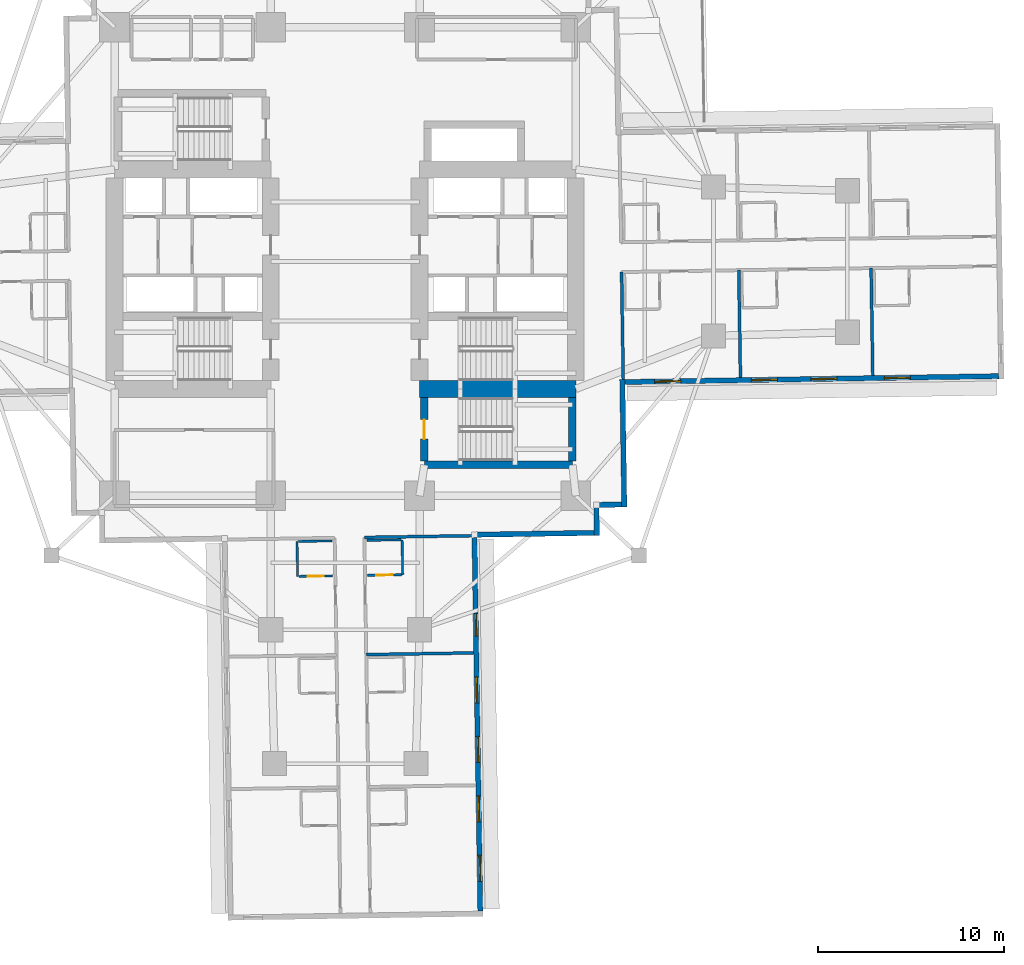
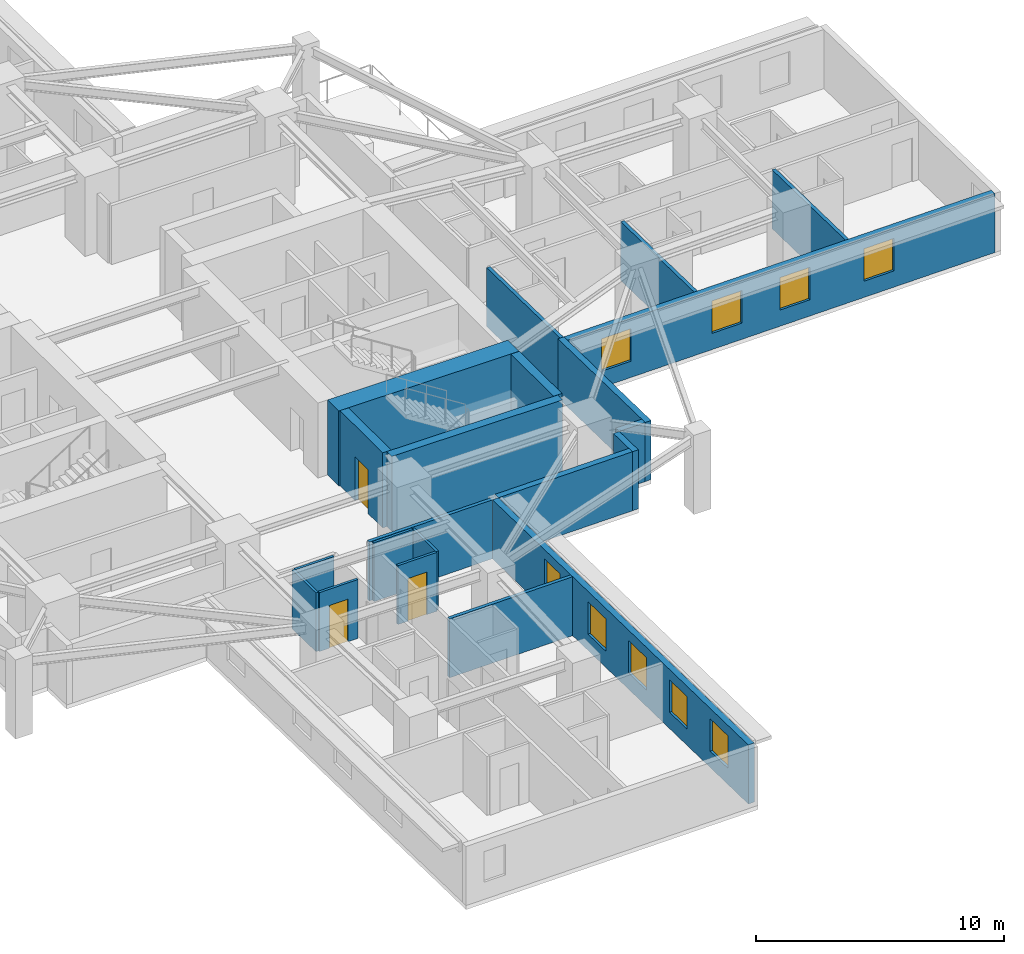
# One storey, part 4 of 14: 21 walls, 9 windows, 3 doors, 12 openings.
"""IFC4 building model written with IfcOpenShell, lengths in metres."""

from ifc_helpers import new_model, si_unit, direction, frame, frame_2d, origin, place, context, subcontext, project, spatial, rectangle, extrude, material, layer, layer_set, type_object, element, fill, save


model = new_model("IFC4")

# Units and contexts
model_context = context("Model", 3, precision=1e-05, world=origin(), true_north=direction((0.0, 1.0)))
body_context = subcontext(model_context, "Body", "Model", "MODEL_VIEW")
ifc_project = project(units=[si_unit("LENGTHUNIT", "METRE"), si_unit("AREAUNIT", "SQUARE_METRE"), si_unit("VOLUMEUNIT", "CUBIC_METRE"), si_unit("PLANEANGLEUNIT", "RADIAN"), si_unit("MASSUNIT", "GRAM", prefix="KILO")], contexts=[model_context])

# Site, building, storey
site_placement = place(None, origin())
site = spatial("IfcSite", under=ifc_project, at=site_placement, CompositionType="ELEMENT")
building_placement = place(site_placement, origin())
building = spatial("IfcBuilding", under=site, at=building_placement, Name="Qingluan Cross Belvedere", CompositionType="ELEMENT")
storey_placement = place(building_placement, frame((0.0, 0.0, 27.60009765625)))
storey = spatial("IfcBuildingStorey", under=building, at=storey_placement, Name="L07", CompositionType="ELEMENT", Elevation=27.60009765625)

# Wall
ifc_material_1 = material(Name="Concrete C50", Category="concrete")
ifc_layer_1 = layer(ifc_material_1, 0.449951171875, Name="CoreShearWall_450")
ifc_layer_set_1 = layer_set([ifc_layer_1], Name="Concrete C50")
wall_type_1 = type_object("IfcWallType", Name="CoreShearWall_450", PredefinedType="SHEAR", material=ifc_layer_set_1)
wall_1_placement = place(storey_placement, frame((4.260009765625, -10.93994140625, 0.0), z_axis=(0.0, 0.0, 1.0), x_axis=(1.0, 0.0, 0.0)))
element("IfcWall", 1, at=wall_1_placement, inside=storey, type_object=wall_type_1, Name="Stair ST4 structural wall S L07", PredefinedType="SHEAR", context=body_context, shape_type="SweptSolid", body=[
    extrude(rectangle(XDim=7.9599609375, YDim=0.39990234375, at=frame_2d((3.97998046875, 0.0))), origin(), (0.0, 0.0, 1.0), 3.699951171875),
])

# Wall, opening, door
wall_2_placement = place(storey_placement, frame((4.260009765625, -10.735107421875, 0.0), z_axis=(0.0, 0.0, 1.0), x_axis=(0.0, 1.0, 0.0)))
wall_2 = element("IfcWall", 2, at=wall_2_placement, inside=storey, type_object=wall_type_1, Name="Stair ST4 structural wall W L07", PredefinedType="SHEAR", context=body_context, shape_type="SweptSolid", body=[
    extrude(rectangle(XDim=3.43017578125, YDim=0.39990234375, at=frame_2d((1.715087890625, 0.0))), origin(), (0.0, 0.0, 1.0), 3.699951171875),
])
opening_1_placement = place(wall_2_placement, frame((1.18505859375, 0.0, 0.0)))
opening_1 = element("IfcOpeningElement", 3, at=opening_1_placement, cuts=wall_2, Name="Opening FD-B11", PredefinedType="OPENING", context=body_context, shape_type="SweptSolid", body=[
    extrude(rectangle(XDim=1.050048828125, YDim=2.14990234375, at=frame_2d((0.52490234375, 1.074951171875))), frame((0.0, 0.2099609375, 0.0), z_axis=(0.0, -1.0, 0.0), x_axis=(1.0, 0.0, 0.0)), (0.0, 0.0, 1.0), 0.419921875),
])
ifc_material_2 = material(Name="Steel Class B smoke-seal fire door", Category="steel")
door_type_1 = type_object("IfcDoorType", Name="StairLobbyFireDoor_FDB", OperationType="NOTDEFINED", PredefinedType="DOOR", material=ifc_material_2)
door_1_placement = place(opening_1_placement, origin())
door_1 = element("IfcDoor", 4, at=door_1_placement, inside=storey, type_object=door_type_1, Name="Smoke-proof stair ST4 fire door L07", OperationType="SINGLE_SWING_LEFT", OverallHeight=2.14990234375, OverallWidth=1.050048828125, PredefinedType="DOOR", context=body_context, shape_type="SweptSolid", body=[
    extrude(rectangle(XDim=1.050048828125, YDim=2.14990234375, at=frame_2d((0.52490234375, 1.074951171875))), frame((0.0, 0.02490234375, 0.0), z_axis=(0.0, -1.0, 0.0), x_axis=(1.0, 0.0, 0.0)), (0.0, 0.0, 1.0), 0.050048828125),
])
fill(opening_1, door_1)

# Walls
wall_3_placement = place(storey_placement, frame((12.219970703125, -10.735107421875, 0.0), z_axis=(0.0, 0.0, 1.0), x_axis=(0.0, 1.0, 0.0)))
element("IfcWall", 5, at=wall_3_placement, inside=storey, type_object=wall_type_1, Name="Stair ST4 structural wall E L07", PredefinedType="SHEAR", context=body_context, shape_type="SweptSolid", body=[
    extrude(rectangle(XDim=3.43017578125, YDim=0.39990234375, at=frame_2d((1.715087890625, 0.0))), origin(), (0.0, 0.0, 1.0), 3.699951171875),
])
ifc_material_3 = material(Name="Concrete C70", Category="concrete")
ifc_layer_2 = layer(ifc_material_3, 0.89990234375, Name="CoreShearWall_900")
ifc_layer_set_2 = layer_set([ifc_layer_2], Name="Concrete C70")
wall_type_2 = type_object("IfcWallType", Name="CoreShearWall_900", PredefinedType="SHEAR", material=ifc_layer_set_2)
wall_4_placement = place(storey_placement, frame((4.0, -6.85009765625, 0.0), z_axis=(0.0, 0.0, 1.0), x_axis=(1.0, 0.0, 0.0)))
element("IfcWall", 6, at=wall_4_placement, inside=storey, type_object=wall_type_2, Name="Split core E shear wall L07-S", PredefinedType="SHEAR", context=body_context, shape_type="SweptSolid", body=[
    extrude(rectangle(XDim=8.39990234375, YDim=0.89990234375, at=frame_2d((4.199951171875, 0.0))), origin(), (0.0, 0.0, 1.0), 3.699951171875),
])
ifc_material_4 = material(Name="Gypsum plasterboard on steel stud acoustic partition", Category="steel")
ifc_layer_3 = layer(ifc_material_4, 0.159912109375, Name="CorridorPartition_160")
ifc_layer_set_3 = layer_set([ifc_layer_3], Name="Gypsum plasterboard on steel stud acoustic partition")
wall_type_3 = type_object("IfcWallType", Name="CorridorPartition_160", PredefinedType="PARTITIONING", material=ifc_layer_set_3)
for number, where, z_axis, x_axis, name in (
    (7, (14.860595703125, -0.566650390625, 0.0), (0.0, 0.0, 1.0), (0.015734758102, -0.999876201031, 0.0), "Partition L07:E:s1"),
    (8, (21.162109375, -0.4677734375, 0.0), (0.0, 0.0, 1.0), (0.015692470796, -0.999876865599, 0.0), "Partition L07:E:d1_0"),
    (9, (28.277099609375, -0.35595703125, 0.0), (0.0, 0.0, 1.0), (0.015734758102, -0.999876201031, 0.0), "Partition L07:E:d1_1"),
):
    element("IfcWall", number, at=place(storey_placement, frame(where, z_axis=z_axis, x_axis=x_axis)), inside=storey, type_object=wall_type_3, Name=name, PredefinedType="PARTITIONING", context=body_context, shape_type="SweptSolid", body=[
        extrude(rectangle(XDim=5.77197265625, YDim=0.159912109375, at=frame_2d((2.885986328125, 0.0))), origin(), (0.0, 0.0, 1.0), 2.89990234375),
    ])
wall_5_placement = place(storey_placement, frame((1.033203125, -14.835693359375, 0.0), z_axis=(0.0, 0.0, 1.0), x_axis=(0.999876548847, 0.015712640343, 0.0)))
element("IfcWall", 10, at=wall_5_placement, inside=storey, type_object=wall_type_3, Name="Partition L07:S:s0", PredefinedType="PARTITIONING", context=body_context, shape_type="SweptSolid", body=[
    extrude(rectangle(XDim=5.919921875, YDim=0.159912109375, at=frame_2d((2.9599609375, 0.0))), origin(), (0.0, 0.0, 1.0), 2.89990234375),
])
wall_6_placement = place(storey_placement, frame((1.132080078125, -21.13671875, 0.0), z_axis=(0.0, 0.0, 1.0), x_axis=(0.999876865599, 0.015692470796, 0.0)))
element("IfcWall", 11, at=wall_6_placement, inside=storey, type_object=wall_type_3, Name="Partition L07:S:d0_0", PredefinedType="PARTITIONING", context=body_context, shape_type="SweptSolid", body=[
    extrude(rectangle(XDim=5.77197265625, YDim=0.159912109375, at=frame_2d((2.885986328125, 0.0))), origin(), (0.0, 0.0, 1.0), 2.89990234375),
])

# Wall, opening, door
ifc_material_5 = material(Name="Moisture-resistant gypsum board lining")
ifc_layer_4 = layer(ifc_material_5, 0.1201171875, Name="EnsuiteWetPartition_120")
ifc_layer_set_4 = layer_set([ifc_layer_4], Name="Moisture-resistant gypsum board lining")
wall_type_4 = type_object("IfcWallType", Name="EnsuiteWetPartition_120", PredefinedType="PARTITIONING", material=ifc_layer_set_4)
wall_7_placement = place(storey_placement, frame((1.205078125, -16.873291015625, 0.0), z_axis=(0.0, 0.0, 1.0), x_axis=(0.999874722342, 0.015828443418, 0.0)))
wall_7 = element("IfcWall", 12, at=wall_7_placement, inside=storey, type_object=wall_type_4, Name="Partition L07:S:bs0_0", PredefinedType="PARTITIONING", context=body_context, shape_type="SweptSolid", body=[
    extrude(rectangle(XDim=1.820068359375, YDim=0.1201171875, at=frame_2d((0.91015625, 0.0))), origin(), (0.0, 0.0, 1.0), 2.89990234375),
])
opening_2_placement = place(wall_7_placement, frame((0.469970703125, 0.0, 0.0)))
opening_2 = element("IfcOpeningElement", 13, at=opening_2_placement, cuts=wall_7, Name="Opening BD-09", PredefinedType="OPENING", context=body_context, shape_type="SweptSolid", body=[
    extrude(rectangle(XDim=0.8798828125, YDim=2.10009765625, at=frame_2d((0.43994140625, 1.050048828125))), frame((0.0, 0.070068359375, 0.0), z_axis=(0.0, -1.0, 0.0), x_axis=(1.0, 0.0, 0.0)), (0.0, 0.0, 1.0), 0.14013671875),
])
ifc_material_6 = material(Name="Moisture-sealed timber en-suite door", Category="wood")
door_type_2 = type_object("IfcDoorType", Name="BathroomDoor_880", OperationType="NOTDEFINED", PredefinedType="DOOR", material=ifc_material_6)
door_2_placement = place(opening_2_placement, origin())
door_2 = element("IfcDoor", 14, at=door_2_placement, inside=storey, type_object=door_type_2, Name="Bathroom door 0719", OperationType="SINGLE_SWING_RIGHT", OverallHeight=2.10009765625, OverallWidth=0.8798828125, PredefinedType="DOOR", context=body_context, shape_type="SweptSolid", body=[
    extrude(rectangle(XDim=0.8798828125, YDim=2.10009765625, at=frame_2d((0.43994140625, 1.050048828125))), frame((0.0, 0.02490234375, 0.0), z_axis=(0.0, -1.0, 0.0), x_axis=(1.0, 0.0, 0.0)), (0.0, 0.0, 1.0), 0.050048828125),
])
fill(opening_2, door_2)

# Walls
wall_8_placement = place(storey_placement, frame((1.17578125, -14.993408203125, 0.0), z_axis=(0.0, 0.0, 1.0), x_axis=(0.999876803258, 0.015696442504, 0.0)))
element("IfcWall", 15, at=wall_8_placement, inside=storey, type_object=wall_type_4, Name="Partition L07:S:bw0_0", PredefinedType="PARTITIONING", context=body_context, shape_type="SweptSolid", body=[
    extrude(rectangle(XDim=1.81982421875, YDim=0.1201171875, at=frame_2d((0.909912109375, 0.0))), origin(), (0.0, 0.0, 1.0), 2.89990234375),
])
wall_9_placement = place(storey_placement, frame((3.060302734375, -14.9638671875, 0.0), z_axis=(0.0, 0.0, 1.0), x_axis=(0.015714386166, -0.99987652141, 0.0)))
element("IfcWall", 16, at=wall_9_placement, inside=storey, type_object=wall_type_4, Name="Partition L07:S:bn0_0", PredefinedType="PARTITIONING", context=body_context, shape_type="SweptSolid", body=[
    extrude(rectangle(XDim=1.8798828125, YDim=0.1201171875, at=frame_2d((0.93994140625, 0.0))), origin(), (0.0, 0.0, 1.0), 2.89990234375),
])

# Wall, opening, door
wall_10_placement = place(storey_placement, frame((-2.494384765625, -16.931396484375, 0.0), z_axis=(0.0, 0.0, 1.0), x_axis=(0.999874722342, 0.015828443418, 0.0)))
wall_10 = element("IfcWall", 17, at=wall_10_placement, inside=storey, type_object=wall_type_4, Name="Partition L07:S:bs1_0", PredefinedType="PARTITIONING", context=body_context, shape_type="SweptSolid", body=[
    extrude(rectangle(XDim=1.820068359375, YDim=0.1201171875, at=frame_2d((0.91015625, 0.0))), origin(), (0.0, 0.0, 1.0), 2.89990234375),
])
opening_3_placement = place(wall_10_placement, frame((0.469970703125, 0.0, 0.0)))
opening_3 = element("IfcOpeningElement", 18, at=opening_3_placement, cuts=wall_10, Name="Opening BD-09", PredefinedType="OPENING", context=body_context, shape_type="SweptSolid", body=[
    extrude(rectangle(XDim=0.8798828125, YDim=2.10009765625, at=frame_2d((0.43994140625, 1.050048828125))), frame((0.0, 0.070068359375, 0.0), z_axis=(0.0, -1.0, 0.0), x_axis=(1.0, 0.0, 0.0)), (0.0, 0.0, 1.0), 0.14013671875),
])
door_3_placement = place(opening_3_placement, origin())
door_3 = element("IfcDoor", 19, at=door_3_placement, inside=storey, type_object=door_type_2, Name="Bathroom door 0722", OperationType="SINGLE_SWING_RIGHT", OverallHeight=2.10009765625, OverallWidth=0.8798828125, PredefinedType="DOOR", context=body_context, shape_type="SweptSolid", body=[
    extrude(rectangle(XDim=0.8798828125, YDim=2.10009765625, at=frame_2d((0.43994140625, 1.050048828125))), frame((0.0, 0.02490234375, 0.0), z_axis=(0.0, -1.0, 0.0), x_axis=(1.0, 0.0, 0.0)), (0.0, 0.0, 1.0), 0.050048828125),
])
fill(opening_3, door_3)

# Walls
wall_11_placement = place(storey_placement, frame((-2.52392578125, -15.051513671875, 0.0), z_axis=(0.0, 0.0, 1.0), x_axis=(0.999876836305, 0.015694337248, 0.0)))
element("IfcWall", 20, at=wall_11_placement, inside=storey, type_object=wall_type_4, Name="Partition L07:S:bw1_0", PredefinedType="PARTITIONING", context=body_context, shape_type="SweptSolid", body=[
    extrude(rectangle(XDim=1.820068359375, YDim=0.1201171875, at=frame_2d((0.91015625, 0.0))), origin(), (0.0, 0.0, 1.0), 2.89990234375),
])
wall_12_placement = place(storey_placement, frame((-2.5888671875, -15.052490234375, 0.0), z_axis=(0.0, 0.0, 1.0), x_axis=(0.01571234584, -0.999876553475, 0.0)))
element("IfcWall", 21, at=wall_12_placement, inside=storey, type_object=wall_type_4, Name="Partition L07:S:bc1_0", PredefinedType="PARTITIONING", context=body_context, shape_type="SweptSolid", body=[
    extrude(rectangle(XDim=1.880126953125, YDim=0.1201171875, at=frame_2d((0.93994140625, 0.0))), origin(), (0.0, 0.0, 1.0), 2.89990234375),
])

# Wall, openings, windows
ifc_material_7 = material(Name="Precast concrete C45", Category="concrete")
ifc_layer_5 = layer(ifc_material_7, 0.280029296875, Name="PrecastFacadeWall_280")
ifc_layer_set_5 = layer_set([ifc_layer_5], Name="Precast concrete C45")
wall_type_5 = type_object("IfcWallType", Name="PrecastFacadeWall_280", PredefinedType="STANDARD", material=ifc_layer_set_5)
wall_13_placement = place(storey_placement, frame((15.043701171875, -6.484619140625, 0.0), z_axis=(0.0, 0.0, 1.0), x_axis=(0.999876474133, 0.01571739401, 0.0)))
wall_13 = element("IfcWall", 22, at=wall_13_placement, inside=storey, type_object=wall_type_5, Name="Facade wall L07-EA", PredefinedType="STANDARD", context=body_context, shape_type="SweptSolid", body=[
    extrude(rectangle(XDim=20.099853515625, YDim=0.280029296875, at=frame_2d((10.0498046875, 0.0))), origin(), (0.0, 0.0, 1.0), 2.909912109375),
])
opening_4_placement = place(wall_13_placement, frame((1.60009765625, 0.0, 0.800048828125)))
opening_4 = element("IfcOpeningElement", 23, at=opening_4_placement, cuts=wall_13, Name="Opening W-01", PredefinedType="OPENING", context=body_context, shape_type="SweptSolid", body=[
    extrude(rectangle(XDim=1.39990234375, YDim=1.60009765625, at=frame_2d((0.699951171875, 0.800048828125))), frame((0.0, 0.14990234375, 0.0), z_axis=(0.0, -1.0, 0.0), x_axis=(1.0, 0.0, 0.0)), (0.0, 0.0, 1.0), 0.300048828125),
])
opening_5_placement = place(wall_13_placement, frame((6.800048828125, 0.0, 0.800048828125)))
opening_5 = element("IfcOpeningElement", 24, at=opening_5_placement, cuts=wall_13, Name="Opening W-01", PredefinedType="OPENING", context=body_context, shape_type="SweptSolid", body=[
    extrude(rectangle(XDim=1.39990234375, YDim=1.60009765625, at=frame_2d((0.699951171875, 0.800048828125))), frame((0.0, 0.14990234375, 0.0), z_axis=(0.0, -1.0, 0.0), x_axis=(1.0, 0.0, 0.0)), (0.0, 0.0, 1.0), 0.300048828125),
])
opening_6_placement = place(wall_13_placement, frame((10.0, 0.0, 0.800048828125)))
opening_6 = element("IfcOpeningElement", 25, at=opening_6_placement, cuts=wall_13, Name="Opening W-01", PredefinedType="OPENING", context=body_context, shape_type="SweptSolid", body=[
    extrude(rectangle(XDim=1.39990234375, YDim=1.60009765625, at=frame_2d((0.699951171875, 0.800048828125))), frame((0.0, 0.14990234375, 0.0), z_axis=(0.0, -1.0, 0.0), x_axis=(1.0, 0.0, 0.0)), (0.0, 0.0, 1.0), 0.300048828125),
])
opening_7_placement = place(wall_13_placement, frame((13.949951171875, 0.0, 0.800048828125)))
opening_7 = element("IfcOpeningElement", 26, at=opening_7_placement, cuts=wall_13, Name="Opening W-01", PredefinedType="OPENING", context=body_context, shape_type="SweptSolid", body=[
    extrude(rectangle(XDim=1.39990234375, YDim=1.60009765625, at=frame_2d((0.699951171875, 0.800048828125))), frame((0.0, 0.14990234375, 0.0), z_axis=(0.0, -1.0, 0.0), x_axis=(1.0, 0.0, 0.0)), (0.0, 0.0, 1.0), 0.300048828125),
])
ifc_material_8 = material(Name="Thermally broken triple Low-E glass in aluminium frame", Category="aluminium")
window_type_1 = type_object("IfcWindowType", Name="TriRibbonWin_1400x1600", PartitioningType="SINGLE_PANEL", PredefinedType="WINDOW", material=ifc_material_8)
window_1_placement = place(opening_4_placement, origin())
window_1 = element("IfcWindow", 27, at=window_1_placement, inside=storey, type_object=window_type_1, Name="Ribbon window L07-EA-1", OverallHeight=1.60009765625, OverallWidth=1.39990234375, PartitioningType="SINGLE_PANEL", PredefinedType="WINDOW", context=body_context, shape_type="SweptSolid", body=[
    extrude(rectangle(XDim=1.39990234375, YDim=1.60009765625, at=frame_2d((0.699951171875, 0.800048828125))), frame((0.0, 0.030029296875, 0.0), z_axis=(0.0, -1.0, 0.0), x_axis=(1.0, 0.0, 0.0)), (0.0, 0.0, 1.0), 0.06005859375),
])
fill(opening_4, window_1)
window_2_placement = place(opening_5_placement, origin())
window_2 = element("IfcWindow", 28, at=window_2_placement, inside=storey, type_object=window_type_1, Name="Ribbon window L07-EA-2", OverallHeight=1.60009765625, OverallWidth=1.39990234375, PartitioningType="SINGLE_PANEL", PredefinedType="WINDOW", context=body_context, shape_type="SweptSolid", body=[
    extrude(rectangle(XDim=1.39990234375, YDim=1.60009765625, at=frame_2d((0.699951171875, 0.800048828125))), frame((0.0, 0.030029296875, 0.0), z_axis=(0.0, -1.0, 0.0), x_axis=(1.0, 0.0, 0.0)), (0.0, 0.0, 1.0), 0.06005859375),
])
fill(opening_5, window_2)
window_3_placement = place(opening_6_placement, origin())
window_3 = element("IfcWindow", 29, at=window_3_placement, inside=storey, type_object=window_type_1, Name="Ribbon window L07-EA-3", OverallHeight=1.60009765625, OverallWidth=1.39990234375, PartitioningType="SINGLE_PANEL", PredefinedType="WINDOW", context=body_context, shape_type="SweptSolid", body=[
    extrude(rectangle(XDim=1.39990234375, YDim=1.60009765625, at=frame_2d((0.699951171875, 0.800048828125))), frame((0.0, 0.030029296875, 0.0), z_axis=(0.0, -1.0, 0.0), x_axis=(1.0, 0.0, 0.0)), (0.0, 0.0, 1.0), 0.06005859375),
])
fill(opening_6, window_3)
window_4_placement = place(opening_7_placement, origin())
window_4 = element("IfcWindow", 30, at=window_4_placement, inside=storey, type_object=window_type_1, Name="Ribbon window L07-EA-4", OverallHeight=1.60009765625, OverallWidth=1.39990234375, PartitioningType="SINGLE_PANEL", PredefinedType="WINDOW", context=body_context, shape_type="SweptSolid", body=[
    extrude(rectangle(XDim=1.39990234375, YDim=1.60009765625, at=frame_2d((0.699951171875, 0.800048828125))), frame((0.0, 0.030029296875, 0.0), z_axis=(0.0, -1.0, 0.0), x_axis=(1.0, 0.0, 0.0)), (0.0, 0.0, 1.0), 0.06005859375),
])
fill(opening_7, window_4)

wall_14_placement = place(storey_placement, frame((7.26953125, -34.93017578125, 0.0), z_axis=(0.0, 0.0, 1.0), x_axis=(-0.015705059908, 0.999876667941, 0.0)))
wall_14 = element("IfcWall", 31, at=wall_14_placement, inside=storey, type_object=wall_type_5, Name="Facade wall L07-SB", PredefinedType="STANDARD", context=body_context, shape_type="SweptSolid", body=[
    extrude(rectangle(XDim=20.10009765625, YDim=0.280029296875, at=frame_2d((10.050048828125, 0.0))), origin(), (0.0, 0.0, 1.0), 2.909912109375),
])
opening_8_placement = place(wall_14_placement, frame((1.60009765625, 0.0, 0.800048828125)))
opening_8 = element("IfcOpeningElement", 32, at=opening_8_placement, cuts=wall_14, Name="Opening W-01", PredefinedType="OPENING", context=body_context, shape_type="SweptSolid", body=[
    extrude(rectangle(XDim=1.39990234375, YDim=1.60009765625, at=frame_2d((0.699951171875, 0.800048828125))), frame((0.0, 0.14990234375, 0.0), z_axis=(0.0, -1.0, 0.0), x_axis=(1.0, 0.0, 0.0)), (0.0, 0.0, 1.0), 0.300048828125),
])
opening_9_placement = place(wall_14_placement, frame((4.800048828125, 0.0, 0.800048828125)))
opening_9 = element("IfcOpeningElement", 33, at=opening_9_placement, cuts=wall_14, Name="Opening W-01", PredefinedType="OPENING", context=body_context, shape_type="SweptSolid", body=[
    extrude(rectangle(XDim=1.39990234375, YDim=1.60009765625, at=frame_2d((0.699951171875, 0.800048828125))), frame((0.0, 0.14990234375, 0.0), z_axis=(0.0, -1.0, 0.0), x_axis=(1.0, 0.0, 0.0)), (0.0, 0.0, 1.0), 0.300048828125),
])
opening_10_placement = place(wall_14_placement, frame((8.0, 0.0, 0.800048828125)))
opening_10 = element("IfcOpeningElement", 34, at=opening_10_placement, cuts=wall_14, Name="Opening W-01", PredefinedType="OPENING", context=body_context, shape_type="SweptSolid", body=[
    extrude(rectangle(XDim=1.39990234375, YDim=1.60009765625, at=frame_2d((0.699951171875, 0.800048828125))), frame((0.0, 0.14990234375, 0.0), z_axis=(0.0, -1.0, 0.0), x_axis=(1.0, 0.0, 0.0)), (0.0, 0.0, 1.0), 0.300048828125),
])
opening_11_placement = place(wall_14_placement, frame((11.199951171875, 0.0, 0.800048828125)))
opening_11 = element("IfcOpeningElement", 35, at=opening_11_placement, cuts=wall_14, Name="Opening W-01", PredefinedType="OPENING", context=body_context, shape_type="SweptSolid", body=[
    extrude(rectangle(XDim=1.39990234375, YDim=1.60009765625, at=frame_2d((0.699951171875, 0.800048828125))), frame((0.0, 0.14990234375, 0.0), z_axis=(0.0, -1.0, 0.0), x_axis=(1.0, 0.0, 0.0)), (0.0, 0.0, 1.0), 0.300048828125),
])
opening_12_placement = place(wall_14_placement, frame((14.799072265625, 0.0, 0.85009765625)))
opening_12 = element("IfcOpeningElement", 36, at=opening_12_placement, cuts=wall_14, Name="Opening W-02", PredefinedType="OPENING", context=body_context, shape_type="SweptSolid", body=[
    extrude(rectangle(XDim=1.199951171875, YDim=1.60009765625, at=frame_2d((0.60009765625, 0.800048828125))), frame((0.0, 0.14990234375, 0.0), z_axis=(0.0, -1.0, 0.0), x_axis=(1.0, 0.0, 0.0)), (0.0, 0.0, 1.0), 0.300048828125),
])
ifc_material_9 = material(Name="Thermally broken triple Low-E glass in aluminium frame", Category="aluminium")
window_type_2 = type_object("IfcWindowType", Name="TriRibbonWin_1200x1600", PartitioningType="SINGLE_PANEL", PredefinedType="WINDOW", material=ifc_material_9)
window_5_placement = place(opening_12_placement, origin())
window_5 = element("IfcWindow", 37, at=window_5_placement, inside=storey, type_object=window_type_2, Name="Deluxe guest room 0719 daylight window", OverallHeight=1.60009765625, OverallWidth=1.199951171875, PartitioningType="SINGLE_PANEL", PredefinedType="WINDOW", context=body_context, shape_type="SweptSolid", body=[
    extrude(rectangle(XDim=1.199951171875, YDim=1.60009765625, at=frame_2d((0.60009765625, 0.800048828125))), frame((0.0, 0.030029296875, 0.0), z_axis=(0.0, -1.0, 0.0), x_axis=(1.0, 0.0, 0.0)), (0.0, 0.0, 1.0), 0.06005859375),
])
fill(opening_12, window_5)
window_6_placement = place(opening_8_placement, origin())
window_6 = element("IfcWindow", 38, at=window_6_placement, inside=storey, type_object=window_type_1, Name="Ribbon window L07-SB-1", OverallHeight=1.60009765625, OverallWidth=1.39990234375, PartitioningType="SINGLE_PANEL", PredefinedType="WINDOW", context=body_context, shape_type="SweptSolid", body=[
    extrude(rectangle(XDim=1.39990234375, YDim=1.60009765625, at=frame_2d((0.699951171875, 0.800048828125))), frame((0.0, 0.030029296875, 0.0), z_axis=(0.0, -1.0, 0.0), x_axis=(1.0, 0.0, 0.0)), (0.0, 0.0, 1.0), 0.06005859375),
])
fill(opening_8, window_6)
window_7_placement = place(opening_9_placement, origin())
window_7 = element("IfcWindow", 39, at=window_7_placement, inside=storey, type_object=window_type_1, Name="Ribbon window L07-SB-2", OverallHeight=1.60009765625, OverallWidth=1.39990234375, PartitioningType="SINGLE_PANEL", PredefinedType="WINDOW", context=body_context, shape_type="SweptSolid", body=[
    extrude(rectangle(XDim=1.39990234375, YDim=1.60009765625, at=frame_2d((0.699951171875, 0.800048828125))), frame((0.0, 0.030029296875, 0.0), z_axis=(0.0, -1.0, 0.0), x_axis=(1.0, 0.0, 0.0)), (0.0, 0.0, 1.0), 0.06005859375),
])
fill(opening_9, window_7)
window_8_placement = place(opening_10_placement, origin())
window_8 = element("IfcWindow", 40, at=window_8_placement, inside=storey, type_object=window_type_1, Name="Ribbon window L07-SB-3", OverallHeight=1.60009765625, OverallWidth=1.39990234375, PartitioningType="SINGLE_PANEL", PredefinedType="WINDOW", context=body_context, shape_type="SweptSolid", body=[
    extrude(rectangle(XDim=1.39990234375, YDim=1.60009765625, at=frame_2d((0.699951171875, 0.800048828125))), frame((0.0, 0.030029296875, 0.0), z_axis=(0.0, -1.0, 0.0), x_axis=(1.0, 0.0, 0.0)), (0.0, 0.0, 1.0), 0.06005859375),
])
fill(opening_10, window_8)
window_9_placement = place(opening_11_placement, origin())
window_9 = element("IfcWindow", 41, at=window_9_placement, inside=storey, type_object=window_type_1, Name="Ribbon window L07-SB-4", OverallHeight=1.60009765625, OverallWidth=1.39990234375, PartitioningType="SINGLE_PANEL", PredefinedType="WINDOW", context=body_context, shape_type="SweptSolid", body=[
    extrude(rectangle(XDim=1.39990234375, YDim=1.60009765625, at=frame_2d((0.699951171875, 0.800048828125))), frame((0.0, 0.030029296875, 0.0), z_axis=(0.0, -1.0, 0.0), x_axis=(1.0, 0.0, 0.0)), (0.0, 0.0, 1.0), 0.06005859375),
])
fill(opening_11, window_9)

# Walls
wall_15_placement = place(storey_placement, frame((14.901611328125, -6.3466796875, 0.0), z_axis=(0.0, 0.0, 1.0), x_axis=(0.015694809807, -0.999876828887, 0.0)))
element("IfcWall", 42, at=wall_15_placement, inside=storey, type_object=wall_type_5, Name="Corner wall L07-SE1", PredefinedType="STANDARD", context=body_context, shape_type="SweptSolid", body=[
    extrude(rectangle(XDim=6.85986328125, YDim=0.280029296875, at=frame_2d((3.429931640625, 0.0))), origin(), (0.0, 0.0, 1.0), 2.909912109375),
])
wall_16_placement = place(storey_placement, frame((14.8671875, -13.068115234375, 0.0), z_axis=(0.0, 0.0, 1.0), x_axis=(-0.999875053502, -0.015807510352, 0.0)))
element("IfcWall", 43, at=wall_16_placement, inside=storey, type_object=wall_type_5, Name="Corner wall L07-SE2", PredefinedType="STANDARD", context=body_context, shape_type="SweptSolid", body=[
    extrude(rectangle(XDim=1.22021484375, YDim=0.280029296875, at=frame_2d((0.610107421875, 0.0))), origin(), (0.0, 0.0, 1.0), 2.909912109375),
])
wall_17_placement = place(storey_placement, frame((13.509521484375, -13.2294921875, 0.0), z_axis=(0.0, 0.0, 1.0), x_axis=(0.015625635615, -0.999877912303, 0.0)))
element("IfcWall", 44, at=wall_17_placement, inside=storey, type_object=wall_type_5, Name="Corner wall L07-SE3", PredefinedType="STANDARD", context=body_context, shape_type="SweptSolid", body=[
    extrude(rectangle(XDim=1.5, YDim=0.280029296875, at=frame_2d((0.75, 0.0))), origin(), (0.0, 0.0, 1.0), 2.909912109375),
])
wall_18_placement = place(storey_placement, frame((13.390869140625, -14.591552734375, 0.0), z_axis=(0.0, 0.0, 1.0), x_axis=(-0.999876833368, -0.015694524359, 0.0)))
element("IfcWall", 45, at=wall_18_placement, inside=storey, type_object=wall_type_5, Name="Corner wall L07-SE4", PredefinedType="STANDARD", context=body_context, shape_type="SweptSolid", body=[
    extrude(rectangle(XDim=6.300048828125, YDim=0.280029296875, at=frame_2d((3.14990234375, 0.0))), origin(), (0.0, 0.0, 1.0), 2.909912109375),
])

save(model, "model.ifc")
